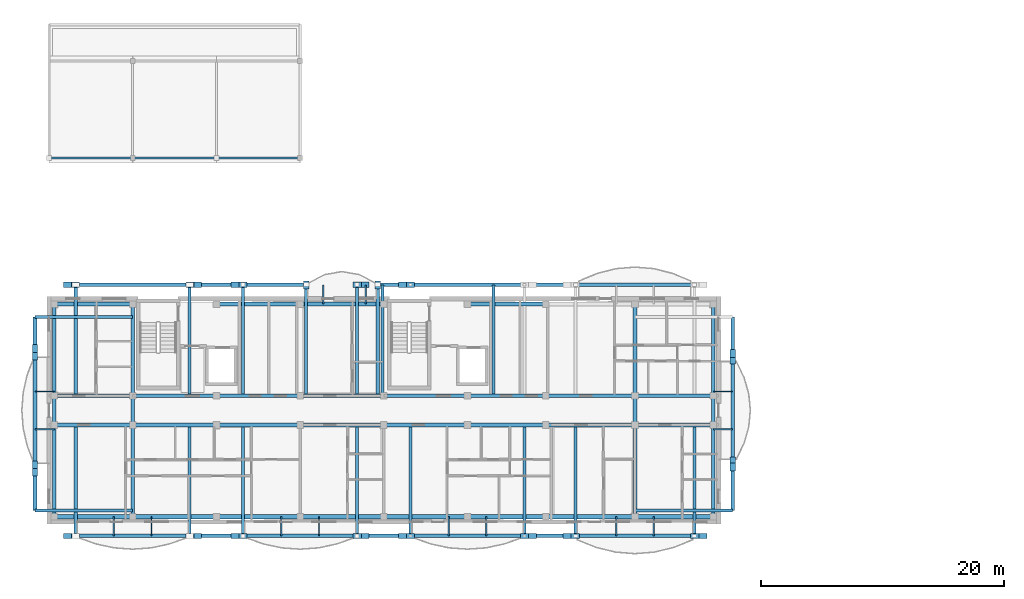
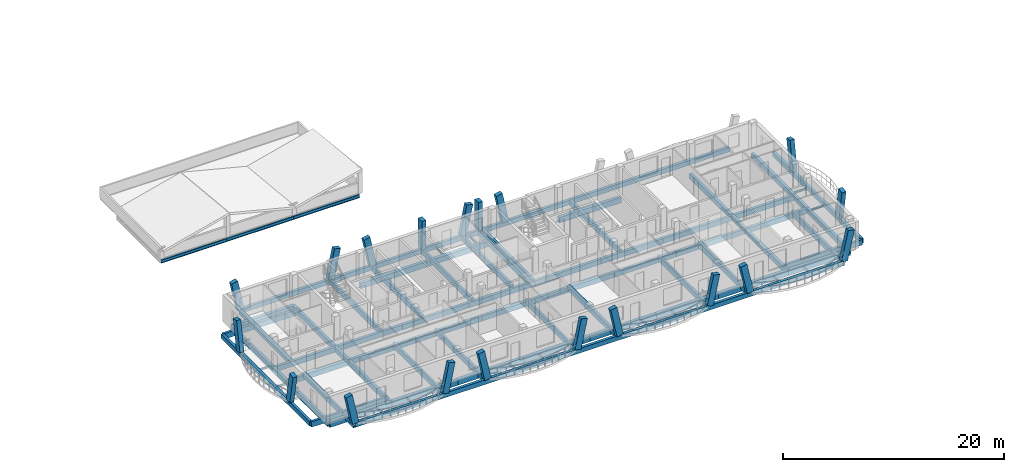
# One storey, part 4 of 50: 80 beams, 19 members.
"""IFC4 building model written with IfcOpenShell, lengths in metres."""

from ifc_helpers import new_model, si_unit, direction, frame, origin, origin_2d, place, context, subcontext, project, spatial, rectangle, i_section, extrude, material, material_profile, profile_set, type_object, element, save


model = new_model("IFC4")

# Units and contexts
model_context = context("Model", 3, precision=1e-05, world=origin(), true_north=direction((0.0, 1.0)))
body_context = subcontext(model_context, "Body", "Model", "MODEL_VIEW")
ifc_project = project(units=[si_unit("LENGTHUNIT", "METRE"), si_unit("AREAUNIT", "SQUARE_METRE"), si_unit("VOLUMEUNIT", "CUBIC_METRE"), si_unit("PLANEANGLEUNIT", "RADIAN"), si_unit("MASSUNIT", "GRAM", prefix="KILO")], contexts=[model_context])

# Site, building, storey
site_placement = place(None, origin())
site = spatial("IfcSite", under=ifc_project, at=site_placement, CompositionType="ELEMENT")
building_placement = place(site_placement, origin())
building = spatial("IfcBuilding", under=site, at=building_placement, Name="Zavelmont Quarter", CompositionType="ELEMENT")
storey_placement = place(building_placement, frame((0.0, 0.0, 11.199951171875)))
storey = spatial("IfcBuildingStorey", under=building, at=storey_placement, Name="L03", CompositionType="ELEMENT", Elevation=11.199951171875)

# Beams
ifc_material_1 = material(Name="Concrete C35/45", Category="concrete")
ifc_material_profile_1 = material_profile(ifc_material_1, rectangle(XDim=0.35009765625, YDim=0.60009765625, at=origin_2d()), Name="RC350X600")
ifc_profile_set_1 = profile_set([ifc_material_profile_1], Name="Concrete C35/45")
beam_type_1 = type_object("IfcBeamType", Name="BM01", PredefinedType="SPANDREL", material=ifc_profile_set_1)
beam_1_placement = place(storey_placement, frame((0.43994140625, 0.43994140625, -0.56005859375), z_axis=(1.0, 0.0, 0.0), x_axis=(0.0, 1.0, 0.0)))
element("IfcBeam", 1, at=beam_1_placement, inside=storey, type_object=beam_type_1, Name="L03 beam BM01 1/A to 2/A", PredefinedType="SPANDREL", context=body_context, shape_type="SweptSolid", body=[
    extrude(rectangle(XDim=0.35009765625, YDim=0.60009765625, at=origin_2d()), origin(), (0.0, 0.0, 1.0), 6.4599609375),
])
beam_2_placement = place(storey_placement, frame((6.89990234375, 0.43994140625, -0.56005859375), z_axis=(1.0, 0.0, 0.0), x_axis=(0.0, 1.0, 0.0)))
element("IfcBeam", 2, at=beam_2_placement, inside=storey, type_object=beam_type_1, Name="L03 beam BM01 2/A to 3/A", PredefinedType="SPANDREL", context=body_context, shape_type="SweptSolid", body=[
    extrude(rectangle(XDim=0.35009765625, YDim=0.60009765625, at=origin_2d()), origin(), (0.0, 0.0, 1.0), 6.900146484375),
])
beam_3_placement = place(storey_placement, frame((13.800048828125, 0.43994140625, -0.56005859375), z_axis=(1.0, 0.0, 0.0), x_axis=(0.0, 1.0, 0.0)))
element("IfcBeam", 3, at=beam_3_placement, inside=storey, type_object=beam_type_1, Name="L03 beam BM01 3/A to 4/A", PredefinedType="SPANDREL", context=body_context, shape_type="SweptSolid", body=[
    extrude(rectangle(XDim=0.35009765625, YDim=0.60009765625, at=origin_2d()), origin(), (0.0, 0.0, 1.0), 6.89990234375),
])
beam_4_placement = place(storey_placement, frame((20.699951171875, 0.43994140625, -0.56005859375), z_axis=(1.0, 0.0, 0.0), x_axis=(0.0, 1.0, 0.0)))
element("IfcBeam", 4, at=beam_4_placement, inside=storey, type_object=beam_type_1, Name="L03 beam BM01 4/A to 5/A", PredefinedType="SPANDREL", context=body_context, shape_type="SweptSolid", body=[
    extrude(rectangle(XDim=0.35009765625, YDim=0.60009765625, at=origin_2d()), origin(), (0.0, 0.0, 1.0), 6.900146484375),
])
beam_5_placement = place(storey_placement, frame((27.60009765625, 0.43994140625, -0.56005859375), z_axis=(1.0, 0.0, 0.0), x_axis=(0.0, 1.0, 0.0)))
element("IfcBeam", 5, at=beam_5_placement, inside=storey, type_object=beam_type_1, Name="L03 beam BM01 5/A to 6/A", PredefinedType="SPANDREL", context=body_context, shape_type="SweptSolid", body=[
    extrude(rectangle(XDim=0.35009765625, YDim=0.60009765625, at=origin_2d()), origin(), (0.0, 0.0, 1.0), 6.89990234375),
])
beam_6_placement = place(storey_placement, frame((34.5, 0.43994140625, -0.56005859375), z_axis=(1.0, 0.0, 0.0), x_axis=(0.0, 1.0, 0.0)))
element("IfcBeam", 6, at=beam_6_placement, inside=storey, type_object=beam_type_1, Name="L03 beam BM01 6/A to 7/A", PredefinedType="SPANDREL", context=body_context, shape_type="SweptSolid", body=[
    extrude(rectangle(XDim=0.35009765625, YDim=0.60009765625, at=origin_2d()), origin(), (0.0, 0.0, 1.0), 6.4599609375),
])
beam_7_placement = place(storey_placement, frame((40.9599609375, 0.43994140625, -0.56005859375), z_axis=(1.0, 0.0, 0.0), x_axis=(0.0, 1.0, 0.0)))
element("IfcBeam", 7, at=beam_7_placement, inside=storey, type_object=beam_type_1, Name="L03 beam BM01 7/A to 8/A", PredefinedType="SPANDREL", context=body_context, shape_type="SweptSolid", body=[
    extrude(rectangle(XDim=0.35009765625, YDim=0.60009765625, at=origin_2d()), origin(), (0.0, 0.0, 1.0), 7.340087890625),
])
for number, where, z_axis, x_axis, name in (
    (8, (48.300048828125, 0.43994140625, -0.56005859375), (1.0, 0.0, 0.0), (0.0, 1.0, 0.0), "L03 beam BM01 8/A to 9/A"),
    (9, (0.43994140625, 17.9599609375, -0.56005859375), (1.0, 0.0, 0.0), (0.0, 1.0, 0.0), "L03 beam BM01 1/D to 2/D"),
):
    element("IfcBeam", number, at=place(storey_placement, frame(where, z_axis=z_axis, x_axis=x_axis)), inside=storey, type_object=beam_type_1, Name=name, PredefinedType="SPANDREL", context=body_context, shape_type="SweptSolid", body=[
        extrude(rectangle(XDim=0.35009765625, YDim=0.60009765625, at=origin_2d()), origin(), (0.0, 0.0, 1.0), 6.4599609375),
    ])
beam_8_placement = place(storey_placement, frame((13.800048828125, 17.9599609375, -0.56005859375), z_axis=(1.0, 0.0, 0.0), x_axis=(0.0, 1.0, 0.0)))
element("IfcBeam", 10, at=beam_8_placement, inside=storey, type_object=beam_type_1, Name="L03 beam BM01 3/D to 4/D", PredefinedType="SPANDREL", context=body_context, shape_type="SweptSolid", body=[
    extrude(rectangle(XDim=0.35009765625, YDim=0.60009765625, at=origin_2d()), origin(), (0.0, 0.0, 1.0), 6.89990234375),
])
beam_9_placement = place(storey_placement, frame((20.699951171875, 17.9599609375, -0.56005859375), z_axis=(1.0, 0.0, 0.0), x_axis=(0.0, 1.0, 0.0)))
element("IfcBeam", 11, at=beam_9_placement, inside=storey, type_object=beam_type_1, Name="L03 beam BM01 4/D to 5/D", PredefinedType="SPANDREL", context=body_context, shape_type="SweptSolid", body=[
    extrude(rectangle(XDim=0.35009765625, YDim=0.60009765625, at=origin_2d()), origin(), (0.0, 0.0, 1.0), 6.900146484375),
])
beam_10_placement = place(storey_placement, frame((34.5, 17.9599609375, -0.56005859375), z_axis=(1.0, 0.0, 0.0), x_axis=(0.0, 1.0, 0.0)))
element("IfcBeam", 12, at=beam_10_placement, inside=storey, type_object=beam_type_1, Name="L03 beam BM01 6/D to 7/D", PredefinedType="SPANDREL", context=body_context, shape_type="SweptSolid", body=[
    extrude(rectangle(XDim=0.35009765625, YDim=0.60009765625, at=origin_2d()), origin(), (0.0, 0.0, 1.0), 6.4599609375),
])
ifc_material_profile_2 = material_profile(ifc_material_1, rectangle(XDim=0.300048828125, YDim=0.550048828125, at=origin_2d()), Name="RC300X550")
ifc_profile_set_2 = profile_set([ifc_material_profile_2], Name="Concrete C35/45")
beam_type_2 = type_object("IfcBeamType", Name="BM02", PredefinedType="SPANDREL", material=ifc_profile_set_2)
beam_11_placement = place(storey_placement, frame((0.43994140625, 8.0, -0.534912109375), z_axis=(1.0, 0.0, 0.0), x_axis=(0.0, 1.0, 0.0)))
element("IfcBeam", 13, at=beam_11_placement, inside=storey, type_object=beam_type_2, Name="L03 beam BM02 1/B to 2/B", PredefinedType="SPANDREL", context=body_context, shape_type="SweptSolid", body=[
    extrude(rectangle(XDim=0.300048828125, YDim=0.550048828125, at=origin_2d()), origin(), (0.0, 0.0, 1.0), 6.4599609375),
])
beam_12_placement = place(storey_placement, frame((6.89990234375, 8.0, -0.534912109375), z_axis=(1.0, 0.0, 0.0), x_axis=(0.0, 1.0, 0.0)))
element("IfcBeam", 14, at=beam_12_placement, inside=storey, type_object=beam_type_2, Name="L03 beam BM02 2/B to 3/B", PredefinedType="SPANDREL", context=body_context, shape_type="SweptSolid", body=[
    extrude(rectangle(XDim=0.300048828125, YDim=0.550048828125, at=origin_2d()), origin(), (0.0, 0.0, 1.0), 6.900146484375),
])
beam_13_placement = place(storey_placement, frame((13.800048828125, 8.0, -0.534912109375), z_axis=(1.0, 0.0, 0.0), x_axis=(0.0, 1.0, 0.0)))
element("IfcBeam", 15, at=beam_13_placement, inside=storey, type_object=beam_type_2, Name="L03 beam BM02 3/B to 4/B", PredefinedType="SPANDREL", context=body_context, shape_type="SweptSolid", body=[
    extrude(rectangle(XDim=0.300048828125, YDim=0.550048828125, at=origin_2d()), origin(), (0.0, 0.0, 1.0), 6.89990234375),
])
beam_14_placement = place(storey_placement, frame((20.699951171875, 8.0, -0.534912109375), z_axis=(1.0, 0.0, 0.0), x_axis=(0.0, 1.0, 0.0)))
element("IfcBeam", 16, at=beam_14_placement, inside=storey, type_object=beam_type_2, Name="L03 beam BM02 4/B to 5/B", PredefinedType="SPANDREL", context=body_context, shape_type="SweptSolid", body=[
    extrude(rectangle(XDim=0.300048828125, YDim=0.550048828125, at=origin_2d()), origin(), (0.0, 0.0, 1.0), 6.900146484375),
])
beam_15_placement = place(storey_placement, frame((27.60009765625, 8.0, -0.534912109375), z_axis=(1.0, 0.0, 0.0), x_axis=(0.0, 1.0, 0.0)))
element("IfcBeam", 17, at=beam_15_placement, inside=storey, type_object=beam_type_2, Name="L03 beam BM02 5/B to 6/B", PredefinedType="SPANDREL", context=body_context, shape_type="SweptSolid", body=[
    extrude(rectangle(XDim=0.300048828125, YDim=0.550048828125, at=origin_2d()), origin(), (0.0, 0.0, 1.0), 6.89990234375),
])
beam_16_placement = place(storey_placement, frame((34.5, 8.0, -0.534912109375), z_axis=(1.0, 0.0, 0.0), x_axis=(0.0, 1.0, 0.0)))
element("IfcBeam", 18, at=beam_16_placement, inside=storey, type_object=beam_type_2, Name="L03 beam BM02 6/B to 7/B", PredefinedType="SPANDREL", context=body_context, shape_type="SweptSolid", body=[
    extrude(rectangle(XDim=0.300048828125, YDim=0.550048828125, at=origin_2d()), origin(), (0.0, 0.0, 1.0), 6.4599609375),
])
beam_17_placement = place(storey_placement, frame((40.9599609375, 8.0, -0.534912109375), z_axis=(1.0, 0.0, 0.0), x_axis=(0.0, 1.0, 0.0)))
element("IfcBeam", 19, at=beam_17_placement, inside=storey, type_object=beam_type_2, Name="L03 beam BM02 7/B to 8/B", PredefinedType="SPANDREL", context=body_context, shape_type="SweptSolid", body=[
    extrude(rectangle(XDim=0.300048828125, YDim=0.550048828125, at=origin_2d()), origin(), (0.0, 0.0, 1.0), 7.340087890625),
])
for number, where, z_axis, x_axis, name in (
    (20, (48.300048828125, 8.0, -0.534912109375), (1.0, 0.0, 0.0), (0.0, 1.0, 0.0), "L03 beam BM02 8/B to 9/B"),
    (21, (0.43994140625, 10.39990234375, -0.534912109375), (1.0, 0.0, 0.0), (0.0, 1.0, 0.0), "L03 beam BM02 1/C to 2/C"),
):
    element("IfcBeam", number, at=place(storey_placement, frame(where, z_axis=z_axis, x_axis=x_axis)), inside=storey, type_object=beam_type_2, Name=name, PredefinedType="SPANDREL", context=body_context, shape_type="SweptSolid", body=[
        extrude(rectangle(XDim=0.300048828125, YDim=0.550048828125, at=origin_2d()), origin(), (0.0, 0.0, 1.0), 6.4599609375),
    ])
beam_18_placement = place(storey_placement, frame((6.89990234375, 10.39990234375, -0.534912109375), z_axis=(1.0, 0.0, 0.0), x_axis=(0.0, 1.0, 0.0)))
element("IfcBeam", 22, at=beam_18_placement, inside=storey, type_object=beam_type_2, Name="L03 beam BM02 2/C to 3/C", PredefinedType="SPANDREL", context=body_context, shape_type="SweptSolid", body=[
    extrude(rectangle(XDim=0.300048828125, YDim=0.550048828125, at=origin_2d()), origin(), (0.0, 0.0, 1.0), 6.900146484375),
])
beam_19_placement = place(storey_placement, frame((13.800048828125, 10.39990234375, -0.534912109375), z_axis=(1.0, 0.0, 0.0), x_axis=(0.0, 1.0, 0.0)))
element("IfcBeam", 23, at=beam_19_placement, inside=storey, type_object=beam_type_2, Name="L03 beam BM02 3/C to 4/C", PredefinedType="SPANDREL", context=body_context, shape_type="SweptSolid", body=[
    extrude(rectangle(XDim=0.300048828125, YDim=0.550048828125, at=origin_2d()), origin(), (0.0, 0.0, 1.0), 6.89990234375),
])
beam_20_placement = place(storey_placement, frame((20.699951171875, 10.39990234375, -0.534912109375), z_axis=(1.0, 0.0, 0.0), x_axis=(0.0, 1.0, 0.0)))
element("IfcBeam", 24, at=beam_20_placement, inside=storey, type_object=beam_type_2, Name="L03 beam BM02 4/C to 5/C", PredefinedType="SPANDREL", context=body_context, shape_type="SweptSolid", body=[
    extrude(rectangle(XDim=0.300048828125, YDim=0.550048828125, at=origin_2d()), origin(), (0.0, 0.0, 1.0), 6.900146484375),
])
beam_21_placement = place(storey_placement, frame((27.60009765625, 10.39990234375, -0.534912109375), z_axis=(1.0, 0.0, 0.0), x_axis=(0.0, 1.0, 0.0)))
element("IfcBeam", 25, at=beam_21_placement, inside=storey, type_object=beam_type_2, Name="L03 beam BM02 5/C to 6/C", PredefinedType="SPANDREL", context=body_context, shape_type="SweptSolid", body=[
    extrude(rectangle(XDim=0.300048828125, YDim=0.550048828125, at=origin_2d()), origin(), (0.0, 0.0, 1.0), 6.89990234375),
])
beam_22_placement = place(storey_placement, frame((34.5, 10.39990234375, -0.534912109375), z_axis=(1.0, 0.0, 0.0), x_axis=(0.0, 1.0, 0.0)))
element("IfcBeam", 26, at=beam_22_placement, inside=storey, type_object=beam_type_2, Name="L03 beam BM02 6/C to 7/C", PredefinedType="SPANDREL", context=body_context, shape_type="SweptSolid", body=[
    extrude(rectangle(XDim=0.300048828125, YDim=0.550048828125, at=origin_2d()), origin(), (0.0, 0.0, 1.0), 6.4599609375),
])
beam_23_placement = place(storey_placement, frame((40.9599609375, 10.39990234375, -0.534912109375), z_axis=(1.0, 0.0, 0.0), x_axis=(0.0, 1.0, 0.0)))
element("IfcBeam", 27, at=beam_23_placement, inside=storey, type_object=beam_type_2, Name="L03 beam BM02 7/C to 8/C", PredefinedType="SPANDREL", context=body_context, shape_type="SweptSolid", body=[
    extrude(rectangle(XDim=0.300048828125, YDim=0.550048828125, at=origin_2d()), origin(), (0.0, 0.0, 1.0), 7.340087890625),
])
beam_24_placement = place(storey_placement, frame((48.300048828125, 10.39990234375, -0.534912109375), z_axis=(1.0, 0.0, 0.0), x_axis=(0.0, 1.0, 0.0)))
element("IfcBeam", 28, at=beam_24_placement, inside=storey, type_object=beam_type_2, Name="L03 beam BM02 8/C to 9/C", PredefinedType="SPANDREL", context=body_context, shape_type="SweptSolid", body=[
    extrude(rectangle(XDim=0.300048828125, YDim=0.550048828125, at=origin_2d()), origin(), (0.0, 0.0, 1.0), 6.4599609375),
])
beam_25_placement = place(storey_placement, frame((0.43994140625, 0.43994140625, -0.534912109375), z_axis=(0.0, 1.0, 0.0), x_axis=(-1.0, 0.0, 0.0)))
element("IfcBeam", 29, at=beam_25_placement, inside=storey, type_object=beam_type_2, Name="L03 beam BM02 1/A to 1/B", PredefinedType="SPANDREL", context=body_context, shape_type="SweptSolid", body=[
    extrude(rectangle(XDim=0.300048828125, YDim=0.550048828125, at=origin_2d()), origin(), (0.0, 0.0, 1.0), 7.56005859375),
])
beam_26_placement = place(storey_placement, frame((0.43994140625, 8.0, -0.534912109375), z_axis=(0.0, 1.0, 0.0), x_axis=(-1.0, 0.0, 0.0)))
element("IfcBeam", 30, at=beam_26_placement, inside=storey, type_object=beam_type_2, Name="L03 beam BM02 1/B to 1/C", PredefinedType="SPANDREL", context=body_context, shape_type="SweptSolid", body=[
    extrude(rectangle(XDim=0.300048828125, YDim=0.550048828125, at=origin_2d()), origin(), (0.0, 0.0, 1.0), 2.39990234375),
])
for number, where, z_axis, x_axis, name in (
    (31, (0.43994140625, 10.39990234375, -0.534912109375), (0.0, 1.0, 0.0), (-1.0, 0.0, 0.0), "L03 beam BM02 1/C to 1/D"),
    (32, (6.89990234375, 0.43994140625, -0.534912109375), (0.0, 1.0, 0.0), (-1.0, 0.0, 0.0), "L03 beam BM02 2/A to 2/B"),
):
    element("IfcBeam", number, at=place(storey_placement, frame(where, z_axis=z_axis, x_axis=x_axis)), inside=storey, type_object=beam_type_2, Name=name, PredefinedType="SPANDREL", context=body_context, shape_type="SweptSolid", body=[
        extrude(rectangle(XDim=0.300048828125, YDim=0.550048828125, at=origin_2d()), origin(), (0.0, 0.0, 1.0), 7.56005859375),
    ])
beam_27_placement = place(storey_placement, frame((6.89990234375, 8.0, -0.534912109375), z_axis=(0.0, 1.0, 0.0), x_axis=(-1.0, 0.0, 0.0)))
element("IfcBeam", 33, at=beam_27_placement, inside=storey, type_object=beam_type_2, Name="L03 beam BM02 2/B to 2/C", PredefinedType="SPANDREL", context=body_context, shape_type="SweptSolid", body=[
    extrude(rectangle(XDim=0.300048828125, YDim=0.550048828125, at=origin_2d()), origin(), (0.0, 0.0, 1.0), 2.39990234375),
])
for number, where, z_axis, x_axis, name in (
    (34, (6.89990234375, 10.39990234375, -0.534912109375), (0.0, 1.0, 0.0), (-1.0, 0.0, 0.0), "L03 beam BM02 2/C to 2/D"),
    (35, (48.300048828125, 0.43994140625, -0.534912109375), (0.0, 1.0, 0.0), (-1.0, 0.0, 0.0), "L03 beam BM02 8/A to 8/B"),
):
    element("IfcBeam", number, at=place(storey_placement, frame(where, z_axis=z_axis, x_axis=x_axis)), inside=storey, type_object=beam_type_2, Name=name, PredefinedType="SPANDREL", context=body_context, shape_type="SweptSolid", body=[
        extrude(rectangle(XDim=0.300048828125, YDim=0.550048828125, at=origin_2d()), origin(), (0.0, 0.0, 1.0), 7.56005859375),
    ])
beam_28_placement = place(storey_placement, frame((48.300048828125, 8.0, -0.534912109375), z_axis=(0.0, 1.0, 0.0), x_axis=(-1.0, 0.0, 0.0)))
element("IfcBeam", 36, at=beam_28_placement, inside=storey, type_object=beam_type_2, Name="L03 beam BM02 8/B to 8/C", PredefinedType="SPANDREL", context=body_context, shape_type="SweptSolid", body=[
    extrude(rectangle(XDim=0.300048828125, YDim=0.550048828125, at=origin_2d()), origin(), (0.0, 0.0, 1.0), 2.39990234375),
])
for number, where, z_axis, x_axis, name in (
    (37, (48.300048828125, 10.39990234375, -0.534912109375), (0.0, 1.0, 0.0), (-1.0, 0.0, 0.0), "L03 beam BM02 8/C to 8/D"),
    (38, (54.760009765625, 0.43994140625, -0.534912109375), (0.0, 1.0, 0.0), (-1.0, 0.0, 0.0), "L03 beam BM02 9/A to 9/B"),
):
    element("IfcBeam", number, at=place(storey_placement, frame(where, z_axis=z_axis, x_axis=x_axis)), inside=storey, type_object=beam_type_2, Name=name, PredefinedType="SPANDREL", context=body_context, shape_type="SweptSolid", body=[
        extrude(rectangle(XDim=0.300048828125, YDim=0.550048828125, at=origin_2d()), origin(), (0.0, 0.0, 1.0), 7.56005859375),
    ])
beam_29_placement = place(storey_placement, frame((54.760009765625, 8.0, -0.534912109375), z_axis=(0.0, 1.0, 0.0), x_axis=(-1.0, 0.0, 0.0)))
element("IfcBeam", 39, at=beam_29_placement, inside=storey, type_object=beam_type_2, Name="L03 beam BM02 9/B to 9/C", PredefinedType="SPANDREL", context=body_context, shape_type="SweptSolid", body=[
    extrude(rectangle(XDim=0.300048828125, YDim=0.550048828125, at=origin_2d()), origin(), (0.0, 0.0, 1.0), 2.39990234375),
])
beam_30_placement = place(storey_placement, frame((54.760009765625, 10.39990234375, -0.534912109375), z_axis=(0.0, 1.0, 0.0), x_axis=(-1.0, 0.0, 0.0)))
element("IfcBeam", 40, at=beam_30_placement, inside=storey, type_object=beam_type_2, Name="L03 beam BM02 9/C to 9/D", PredefinedType="SPANDREL", context=body_context, shape_type="SweptSolid", body=[
    extrude(rectangle(XDim=0.300048828125, YDim=0.550048828125, at=origin_2d()), origin(), (0.0, 0.0, 1.0), 7.56005859375),
])
ifc_material_profile_3 = material_profile(ifc_material_1, rectangle(XDim=0.300048828125, YDim=0.5, at=origin_2d()), Name="RC300X500")
ifc_profile_set_3 = profile_set([ifc_material_profile_3], Name="Concrete C35/45")
beam_type_3 = type_object("IfcBeamType", Name="BM03", PredefinedType="BEAM", material=ifc_profile_set_3)
for number, where, z_axis, x_axis, name in (
    (41, (2.202880859375, -1.14990234375, -0.25), (1.0, 0.0, 0.0), (0.0, 1.0, 0.0), "L03 beam BM03 1/A to 9/A"),
    (42, (2.202880859375, 19.550048828125, -0.25), (1.0, 0.0, 0.0), (0.0, 1.0, 0.0), "L03 beam BM03 1/D to 9/D"),
):
    element("IfcBeam", number, at=place(storey_placement, frame(where, z_axis=z_axis, x_axis=x_axis)), inside=storey, type_object=beam_type_3, Name=name, PredefinedType="BEAM", context=body_context, shape_type="SweptSolid", body=[
        extrude(rectangle(XDim=0.300048828125, YDim=0.5, at=origin_2d()), origin(), (0.0, 0.0, 1.0), 50.989013671875),
    ])
for number, where, z_axis, x_axis, name in (
    (43, (-1.14990234375, 0.949951171875, -0.25), (0.0, 1.0, 0.0), (-1.0, 0.0, 0.0), "L03 beam BM03 1/A to 1/D"),
    (44, (56.35009765625, 0.949951171875, -0.25), (0.0, 1.0, 0.0), (-1.0, 0.0, 0.0), "L03 beam BM03 9/A to 9/D"),
):
    element("IfcBeam", number, at=place(storey_placement, frame(where, z_axis=z_axis, x_axis=x_axis)), inside=storey, type_object=beam_type_3, Name=name, PredefinedType="BEAM", context=body_context, shape_type="SweptSolid", body=[
        extrude(rectangle(XDim=0.300048828125, YDim=0.5, at=origin_2d()), origin(), (0.0, 0.0, 1.0), 15.949951171875),
    ])
ifc_material_2 = material(Name="Steel S355", Category="steel")
ifc_material_profile_4 = material_profile(ifc_material_2, i_section(OverallWidth=0.169921875, OverallDepth=0.360107421875, WebThickness=0.008056640625, FlangeThickness=0.0126953125, at=origin_2d()), Name="IPE 360")
ifc_profile_set_4 = profile_set([ifc_material_profile_4], Name="Steel S355")
beam_type_4 = type_object("IfcBeamType", Name="BM13", PredefinedType="BEAM", material=ifc_profile_set_4)
beam_31_placement = place(storey_placement, frame((0.0, 30.0, -0.389892578125), z_axis=(1.0, 0.0, 0.0), x_axis=(0.0, 1.0, 0.0)))
element("IfcBeam", 45, at=beam_31_placement, inside=storey, type_object=beam_type_4, Name="L03 beam BM13 1/F to 2/F", PredefinedType="BEAM", context=body_context, shape_type="SweptSolid", body=[
    extrude(i_section(OverallWidth=0.169921875, OverallDepth=0.360107421875, WebThickness=0.008056640625, FlangeThickness=0.0126953125, at=origin_2d()), origin(), (0.0, 0.0, 1.0), 6.89990234375),
])
beam_32_placement = place(storey_placement, frame((6.89990234375, 30.0, -0.389892578125), z_axis=(1.0, 0.0, 0.0), x_axis=(0.0, 1.0, 0.0)))
element("IfcBeam", 46, at=beam_32_placement, inside=storey, type_object=beam_type_4, Name="L03 beam BM13 2/F to 3/F", PredefinedType="BEAM", context=body_context, shape_type="SweptSolid", body=[
    extrude(i_section(OverallWidth=0.169921875, OverallDepth=0.360107421875, WebThickness=0.008056640625, FlangeThickness=0.0126953125, at=origin_2d()), origin(), (0.0, 0.0, 1.0), 6.900146484375),
])
beam_33_placement = place(storey_placement, frame((13.800048828125, 30.0, -0.389892578125), z_axis=(1.0, 0.0, 0.0), x_axis=(0.0, 1.0, 0.0)))
element("IfcBeam", 47, at=beam_33_placement, inside=storey, type_object=beam_type_4, Name="L03 beam BM13 3/F to 4/F", PredefinedType="BEAM", context=body_context, shape_type="SweptSolid", body=[
    extrude(i_section(OverallWidth=0.169921875, OverallDepth=0.360107421875, WebThickness=0.008056640625, FlangeThickness=0.0126953125, at=origin_2d()), origin(), (0.0, 0.0, 1.0), 6.89990234375),
])
ifc_material_profile_5 = material_profile(ifc_material_2, i_section(OverallWidth=0.110107421875, OverallDepth=0.219970703125, WebThickness=0.005859375, FlangeThickness=0.00927734375, at=origin_2d()), Name="IPE 220")
ifc_profile_set_5 = profile_set([ifc_material_profile_5], Name="Steel S355")
beam_type_5 = type_object("IfcBeamType", Name="BM15", PredefinedType="JOIST", material=ifc_profile_set_5)
for number, where, z_axis, x_axis, name in (
    (48, (5.35009765625, 0.43994140625, -0.3720703125), (0.0, -1.0, 0.0), (1.0, 0.0, 0.0), "L03 beam BM15 2/A to 2/A"),
    (49, (8.449951171875, 0.43994140625, -0.3720703125), (0.0, -1.0, 0.0), (1.0, 0.0, 0.0), "L03 beam BM15 2/A to 2/A"),
    (50, (19.14990234375, 0.43994140625, -0.3720703125), (0.0, -1.0, 0.0), (1.0, 0.0, 0.0), "L03 beam BM15 4/A to 4/A"),
    (51, (22.25, 0.43994140625, -0.3720703125), (0.0, -1.0, 0.0), (1.0, 0.0, 0.0), "L03 beam BM15 4/A to 4/A"),
    (52, (32.949951171875, 0.43994140625, -0.3720703125), (0.0, -1.0, 0.0), (1.0, 0.0, 0.0), "L03 beam BM15 6/A to 6/A"),
    (53, (36.050048828125, 0.43994140625, -0.3720703125), (0.0, -1.0, 0.0), (1.0, 0.0, 0.0), "L03 beam BM15 6/A to 6/A"),
    (54, (46.75, 0.43994140625, -0.3720703125), (0.0, -1.0, 0.0), (1.0, 0.0, 0.0), "L03 beam BM15 8/A to 8/A"),
    (55, (49.85009765625, 0.43994140625, -0.3720703125), (0.0, -1.0, 0.0), (1.0, 0.0, 0.0), "L03 beam BM15 8/A to 8/A"),
    (56, (0.43994140625, 7.64990234375, -0.3720703125), (-1.0, 0.0, 0.0), (0.0, -1.0, 0.0), "L03 beam BM15 1/B to 1/B"),
    (57, (0.43994140625, 10.75, -0.3720703125), (-1.0, 0.0, 0.0), (0.0, -1.0, 0.0), "L03 beam BM15 1/C to 1/C"),
):
    element("IfcBeam", number, at=place(storey_placement, frame(where, z_axis=z_axis, x_axis=x_axis)), inside=storey, type_object=beam_type_5, Name=name, PredefinedType="JOIST", context=body_context, shape_type="SweptSolid", body=[
        extrude(i_section(OverallWidth=0.110107421875, OverallDepth=0.219970703125, WebThickness=0.005859375, FlangeThickness=0.00927734375, at=origin_2d()), origin(), (0.0, 0.0, 1.0), 1.58984375),
    ])
for number, where, z_axis, x_axis, name in (
    (58, (54.760009765625, 7.64990234375, -0.3720703125), (1.0, 0.0, 0.0), (0.0, 1.0, 0.0), "L03 beam BM15 9/B to 9/B"),
    (59, (54.760009765625, 10.75, -0.3720703125), (1.0, 0.0, 0.0), (0.0, 1.0, 0.0), "L03 beam BM15 9/C to 9/C"),
    (60, (22.60009765625, 17.9599609375, -0.3720703125), (0.0, 1.0, 0.0), (-1.0, 0.0, 0.0), "L03 beam BM15 4/D to 4/D"),
    (61, (26.1201171875, 17.9599609375, -0.3720703125), (0.0, 1.0, 0.0), (-1.0, 0.0, 0.0), "L03 beam BM15 5/D to 5/D"),
):
    element("IfcBeam", number, at=place(storey_placement, frame(where, z_axis=z_axis, x_axis=x_axis)), inside=storey, type_object=beam_type_5, Name=name, PredefinedType="JOIST", context=body_context, shape_type="SweptSolid", body=[
        extrude(i_section(OverallWidth=0.110107421875, OverallDepth=0.219970703125, WebThickness=0.005859375, FlangeThickness=0.00927734375, at=origin_2d()), origin(), (0.0, 0.0, 1.0), 1.590087890625),
    ])
ifc_material_3 = material(Name="Concrete C40/50", Category="concrete")
ifc_material_profile_6 = material_profile(ifc_material_3, rectangle(XDim=0.25, YDim=0.60009765625, at=origin_2d()), Name="RC250X600")
ifc_profile_set_6 = profile_set([ifc_material_profile_6], Name="Concrete C40/50")
beam_type_6 = type_object("IfcBeamType", Name="BM18", PredefinedType="BEAM", material=ifc_profile_set_6)
for number, where, z_axis, x_axis, name in (
    (62, (2.202880859375, 8.0, -0.300048828125), (0.0, -1.0, 0.0), (1.0, 0.0, 0.0), "L03 beam BM18 1/B to 1/A"),
    (63, (11.59716796875, 8.0, -0.300048828125), (0.0, -1.0, 0.0), (1.0, 0.0, 0.0), "L03 beam BM18 3/B to 3/A"),
    (64, (16.0029296875, 8.0, -0.300048828125), (0.0, -1.0, 0.0), (1.0, 0.0, 0.0), "L03 beam BM18 3/B to 3/A"),
    (65, (25.397216796875, 8.0, -0.300048828125), (0.0, -1.0, 0.0), (1.0, 0.0, 0.0), "L03 beam BM18 5/B to 5/A"),
    (66, (29.802978515625, 8.0, -0.300048828125), (0.0, -1.0, 0.0), (1.0, 0.0, 0.0), "L03 beam BM18 5/B to 5/A"),
    (67, (39.197021484375, 8.0, -0.300048828125), (0.0, -1.0, 0.0), (1.0, 0.0, 0.0), "L03 beam BM18 7/B to 7/A"),
    (68, (43.40771484375, 8.0, -0.300048828125), (0.0, -1.0, 0.0), (1.0, 0.0, 0.0), "L03 beam BM18 7/B to 7/A"),
    (69, (53.1923828125, 8.0, -0.300048828125), (0.0, -1.0, 0.0), (1.0, 0.0, 0.0), "L03 beam BM18 9/B to 9/A"),
):
    element("IfcBeam", number, at=place(storey_placement, frame(where, z_axis=z_axis, x_axis=x_axis)), inside=storey, type_object=beam_type_6, Name=name, PredefinedType="BEAM", context=body_context, shape_type="SweptSolid", body=[
        extrude(rectangle(XDim=0.25, YDim=0.60009765625, at=origin_2d()), origin(), (0.0, 0.0, 1.0), 9.14990234375),
    ])
for number, where, z_axis, x_axis, name in (
    (70, (2.202880859375, 10.39990234375, -0.300048828125), (0.0, 1.0, 0.0), (-1.0, 0.0, 0.0), "L03 beam BM18 1/C to 1/D"),
    (71, (11.59716796875, 10.39990234375, -0.300048828125), (0.0, 1.0, 0.0), (-1.0, 0.0, 0.0), "L03 beam BM18 3/C to 3/D"),
    (72, (16.0029296875, 10.39990234375, -0.300048828125), (0.0, 1.0, 0.0), (-1.0, 0.0, 0.0), "L03 beam BM18 3/C to 3/D"),
    (73, (25.397216796875, 10.39990234375, -0.300048828125), (0.0, 1.0, 0.0), (-1.0, 0.0, 0.0), "L03 beam BM18 5/C to 5/D"),
    (74, (27.5, 10.39990234375, -0.300048828125), (0.0, 1.0, 0.0), (-1.0, 0.0, 0.0), "L03 beam BM18 5/C to 5/D"),
    (75, (36.625, 10.39990234375, -0.300048828125), (0.0, 1.0, 0.0), (-1.0, 0.0, 0.0), "L03 beam BM18 6/C to 6/D"),
    (76, (21.199951171875, 10.39990234375, -0.300048828125), (0.0, 1.0, 0.0), (-1.0, 0.0, 0.0), "L03 beam BM18 4/C to 4/D"),
    (77, (27.10009765625, 10.39990234375, -0.300048828125), (0.0, 1.0, 0.0), (-1.0, 0.0, 0.0), "L03 beam BM18 5/C to 5/D"),
):
    element("IfcBeam", number, at=place(storey_placement, frame(where, z_axis=z_axis, x_axis=x_axis)), inside=storey, type_object=beam_type_6, Name=name, PredefinedType="BEAM", context=body_context, shape_type="SweptSolid", body=[
        extrude(rectangle(XDim=0.25, YDim=0.60009765625, at=origin_2d()), origin(), (0.0, 0.0, 1.0), 9.150146484375),
    ])
for number, where, z_axis, x_axis, name in (
    (78, (6.89990234375, 0.949951171875, -0.300048828125), (-1.0, 0.0, 0.0), (0.0, -1.0, 0.0), "L03 beam BM18 2/A to 1/A"),
    (79, (6.89990234375, 16.89990234375, -0.300048828125), (-1.0, 0.0, 0.0), (0.0, -1.0, 0.0), "L03 beam BM18 2/D to 1/D"),
):
    element("IfcBeam", number, at=place(storey_placement, frame(where, z_axis=z_axis, x_axis=x_axis)), inside=storey, type_object=beam_type_6, Name=name, PredefinedType="BEAM", context=body_context, shape_type="SweptSolid", body=[
        extrude(rectangle(XDim=0.25, YDim=0.60009765625, at=origin_2d()), origin(), (0.0, 0.0, 1.0), 8.0498046875),
    ])
beam_34_placement = place(storey_placement, frame((48.300048828125, 0.949951171875, -0.300048828125), z_axis=(1.0, 0.0, 0.0), x_axis=(0.0, 1.0, 0.0)))
element("IfcBeam", 80, at=beam_34_placement, inside=storey, type_object=beam_type_6, Name="L03 beam BM18 8/A to 9/A", PredefinedType="BEAM", context=body_context, shape_type="SweptSolid", body=[
    extrude(rectangle(XDim=0.25, YDim=0.60009765625, at=origin_2d()), origin(), (0.0, 0.0, 1.0), 8.050048828125),
])

# Members
ifc_material_4 = material(Name="White architectural precast concrete C40/50", Category="concrete")
ifc_material_profile_7 = material_profile(ifc_material_4, rectangle(XDim=0.43994140625, YDim=0.659912109375, at=origin_2d()), Name="PCR320X480")
ifc_profile_set_7 = profile_set([ifc_material_profile_7], Name="White architectural precast concrete C40/50")
member_type = type_object("IfcMemberType", Name="VR01M", PredefinedType="CHORD", material=ifc_profile_set_7)
for number, where, z_axis, x_axis, name in (
    (81, (2.202880859375, -1.14990234375, 0.0), (-0.204338973271, 0.0, 0.978900191032), (0.0, -1.0, 0.0), "L03 member VR01M 1/A to 1/A"),
    (82, (11.59716796875, -1.14990234375, 0.0), (0.204338973271, 0.0, 0.978900191032), (0.0, 1.0, 0.0), "L03 member VR01M 3/A to 3/A"),
    (83, (16.0029296875, -1.14990234375, 0.0), (-0.204410538489, 0.0, 0.978885249534), (0.0, -1.0, 0.0), "L03 member VR01M 3/A to 3/A"),
    (84, (25.397216796875, -1.14990234375, 0.0), (0.204338973271, 0.0, 0.978900191032), (0.0, 1.0, 0.0), "L03 member VR01M 5/A to 5/A"),
    (85, (29.802978515625, -1.14990234375, 0.0), (-0.204410538489, 0.0, 0.978885249534), (0.0, -1.0, 0.0), "L03 member VR01M 5/A to 5/A"),
    (86, (39.197021484375, -1.14990234375, 0.0), (0.204410538489, 0.0, 0.978885249534), (0.0, 1.0, 0.0), "L03 member VR01M 7/A to 7/A"),
):
    element("IfcMember", number, at=place(storey_placement, frame(where, z_axis=z_axis, x_axis=x_axis)), inside=storey, type_object=member_type, Name=name, PredefinedType="CHORD", context=body_context, shape_type="SweptSolid", body=[
        extrude(rectangle(XDim=0.43994140625, YDim=0.659912109375, at=origin_2d()), origin(), (0.0, 0.0, 1.0), 3.26904296875),
    ])
for number, where, z_axis, x_axis, name in (
    (87, (43.40771484375, -1.14990234375, 0.0), (-0.218585566321, 0.0, 0.975817785345), (0.0, -1.0, 0.0), "L03 member VR01M 7/A to 7/A"),
    (88, (53.1923828125, -1.14990234375, 0.0), (0.218514671667, 0.0, 0.975833663216), (0.0, 1.0, 0.0), "L03 member VR01M 9/A to 9/A"),
):
    element("IfcMember", number, at=place(storey_placement, frame(where, z_axis=z_axis, x_axis=x_axis)), inside=storey, type_object=member_type, Name=name, PredefinedType="CHORD", context=body_context, shape_type="SweptSolid", body=[
        extrude(rectangle(XDim=0.43994140625, YDim=0.659912109375, at=origin_2d()), origin(), (0.0, 0.0, 1.0), 3.279296875),
    ])
for number, where, z_axis, x_axis, name in (
    (89, (2.202880859375, 19.550048828125, 0.0), (-0.204338973271, 0.0, 0.978900191032), (0.0, -1.0, 0.0), "L03 member VR01M 1/D to 1/D"),
    (90, (11.59716796875, 19.550048828125, 0.0), (0.204338973271, 0.0, 0.978900191032), (0.0, 1.0, 0.0), "L03 member VR01M 3/D to 3/D"),
    (91, (16.0029296875, 19.550048828125, 0.0), (-0.204410538489, 0.0, 0.978885249534), (0.0, -1.0, 0.0), "L03 member VR01M 3/D to 3/D"),
    (92, (25.397216796875, 19.550048828125, 0.0), (0.204338973271, 0.0, 0.978900191032), (0.0, 1.0, 0.0), "L03 member VR01M 5/D to 5/D"),
    (93, (29.802978515625, 19.550048828125, 0.0), (-0.204410538489, 0.0, 0.978885249534), (0.0, -1.0, 0.0), "L03 member VR01M 5/D to 5/D"),
):
    element("IfcMember", number, at=place(storey_placement, frame(where, z_axis=z_axis, x_axis=x_axis)), inside=storey, type_object=member_type, Name=name, PredefinedType="CHORD", context=body_context, shape_type="SweptSolid", body=[
        extrude(rectangle(XDim=0.43994140625, YDim=0.659912109375, at=origin_2d()), origin(), (0.0, 0.0, 1.0), 3.26904296875),
    ])
for number, where, z_axis, x_axis, name in (
    (94, (21.199951171875, 19.550048828125, 0.0), (0.0, 0.0, 1.0), (1.0, 0.0, 0.0), "L03 member VR01M 4/D to 4/D"),
    (95, (27.10009765625, 19.550048828125, 0.0), (0.0, 0.0, 1.0), (1.0, 0.0, 0.0), "L03 member VR01M 5/D to 5/D"),
):
    element("IfcMember", number, at=place(storey_placement, frame(where, z_axis=z_axis, x_axis=x_axis)), inside=storey, type_object=member_type, Name=name, PredefinedType="CHORD", context=body_context, shape_type="SweptSolid", body=[
        extrude(rectangle(XDim=0.43994140625, YDim=0.659912109375, at=origin_2d()), origin(), (0.0, 0.0, 1.0), 3.199951171875),
    ])
for number, where, z_axis, x_axis, name in (
    (96, (-1.14990234375, 4.717041015625, 0.0), (0.0, -0.188588940236, 0.982056114293), (1.0, 0.0, 0.0), "L03 member VR01M 1/B to 1/B"),
    (97, (-1.14990234375, 13.68310546875, 0.0), (0.0, 0.188516677431, 0.982069988509), (-1.0, 0.0, 0.0), "L03 member VR01M 1/C to 1/C"),
):
    element("IfcMember", number, at=place(storey_placement, frame(where, z_axis=z_axis, x_axis=x_axis)), inside=storey, type_object=member_type, Name=name, PredefinedType="CHORD", context=body_context, shape_type="SweptSolid", body=[
        extrude(rectangle(XDim=0.43994140625, YDim=0.659912109375, at=origin_2d()), origin(), (0.0, 0.0, 1.0), 3.25830078125),
    ])
for number, where, z_axis, x_axis, name in (
    (98, (56.35009765625, 5.049072265625, 0.0), (0.0, -0.163483487097, 0.986546070615), (1.0, 0.0, 0.0), "L03 member VR01M 9/B to 9/B"),
    (99, (56.35009765625, 13.35107421875, 0.0), (0.0, 0.163410228798, 0.986558207672), (-1.0, 0.0, 0.0), "L03 member VR01M 9/C to 9/C"),
):
    element("IfcMember", number, at=place(storey_placement, frame(where, z_axis=z_axis, x_axis=x_axis)), inside=storey, type_object=member_type, Name=name, PredefinedType="CHORD", context=body_context, shape_type="SweptSolid", body=[
        extrude(rectangle(XDim=0.43994140625, YDim=0.659912109375, at=origin_2d()), origin(), (0.0, 0.0, 1.0), 3.24365234375),
    ])

save(model, "model.ifc")
